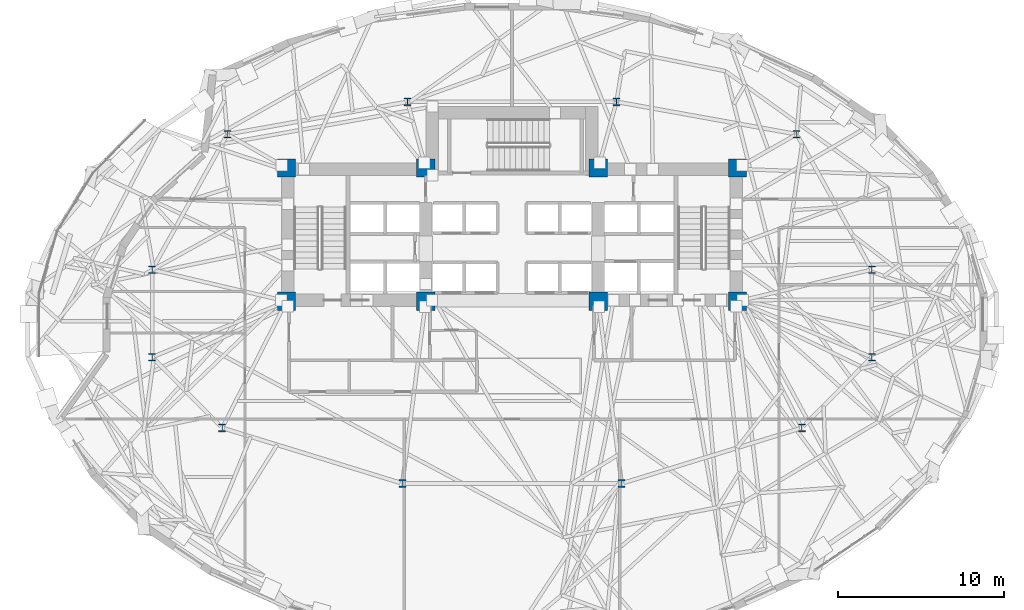
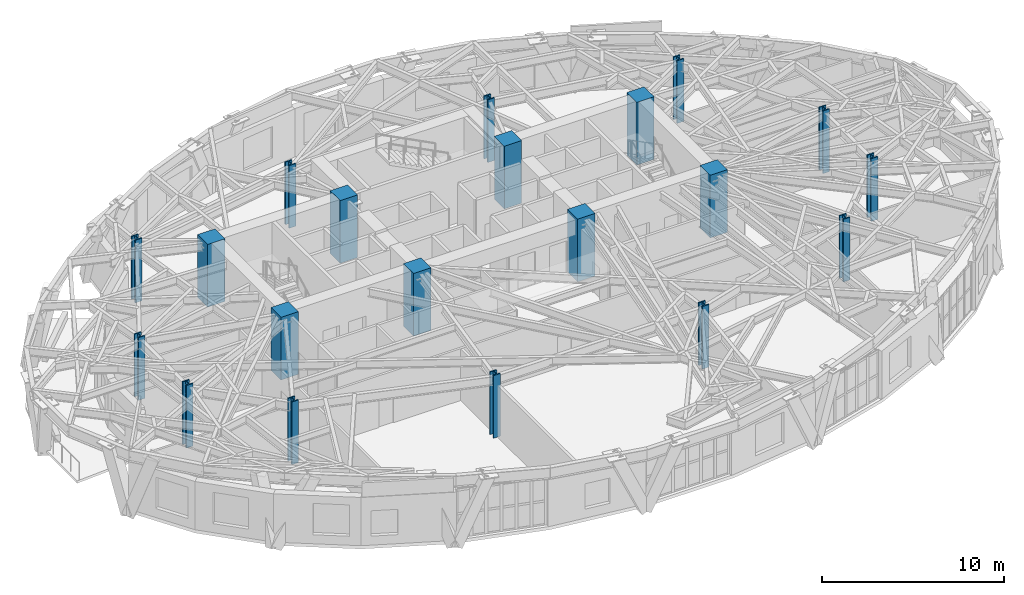
# One storey, part 1 of 20: 20 columns.
"""IFC4 building model written with IfcOpenShell, lengths in metres."""

from ifc_helpers import new_model, si_unit, direction, frame, origin, origin_2d, place, context, subcontext, project, spatial, rectangle, i_section, extrude, material, material_profile, profile_set, type_object, element, save


model = new_model("IFC4")

# Units and contexts
model_context = context("Model", 3, precision=1e-05, world=origin(), true_north=direction((0.0, 1.0)))
body_context = subcontext(model_context, "Body", "Model", "MODEL_VIEW")
ifc_project = project(units=[si_unit("LENGTHUNIT", "METRE"), si_unit("AREAUNIT", "SQUARE_METRE"), si_unit("VOLUMEUNIT", "CUBIC_METRE"), si_unit("PLANEANGLEUNIT", "RADIAN"), si_unit("MASSUNIT", "GRAM", prefix="KILO")], contexts=[model_context])

# Site, building, storey
site_placement = place(None, origin())
site = spatial("IfcSite", under=ifc_project, at=site_placement, CompositionType="ELEMENT")
building_placement = place(site_placement, origin())
building = spatial("IfcBuilding", under=site, at=building_placement, Name="Keldmark Tower", CompositionType="ELEMENT")
storey_placement = place(building_placement, frame((0.0, 0.0, 81.89990234375)))
storey = spatial("IfcBuildingStorey", under=building, at=storey_placement, Name="L21", CompositionType="ELEMENT", Elevation=81.89990234375)

# Columns
ifc_material_1 = material(Name="Concrete C70/85", Category="concrete")
ifc_material_profile_1 = material_profile(ifc_material_1, rectangle(XDim=1.10009765625, YDim=1.10009765625, at=origin_2d()), Name="RC1100X1100")
ifc_profile_set_1 = profile_set([ifc_material_profile_1], Name="Concrete C70/85")
column_type_1 = type_object("IfcColumnType", Name="Core Boundary Column RC1100", PredefinedType="COLUMN", material=ifc_profile_set_1)
for number, where, z_axis, x_axis, name in (
    (1, (-13.60009765625, 1.39990234375, 0.0), (0.0, 0.0, 1.0), (1.0, 0.0, 0.0), "L21 Core Boundary Column CC-W1"),
    (2, (-13.60009765625, 9.449951171875, 0.0), (0.0, 0.0, 1.0), (1.0, 0.0, 0.0), "L21 Core Boundary Column CC-W2"),
    (3, (-5.199951171875, 1.39990234375, 0.0), (0.0, 0.0, 1.0), (1.0, 0.0, 0.0), "L21 Core Boundary Column CC-W3"),
    (4, (-5.199951171875, 9.449951171875, 0.0), (0.0, 0.0, 1.0), (1.0, 0.0, 0.0), "L21 Core Boundary Column CC-W4"),
    (5, (5.199951171875, 1.39990234375, 0.0), (0.0, 0.0, 1.0), (1.0, 0.0, 0.0), "L21 Core Boundary Column CC-E1"),
    (6, (5.199951171875, 9.449951171875, 0.0), (0.0, 0.0, 1.0), (1.0, 0.0, 0.0), "L21 Core Boundary Column CC-E2"),
    (7, (13.60009765625, 1.39990234375, 0.0), (0.0, 0.0, 1.0), (1.0, 0.0, 0.0), "L21 Core Boundary Column CC-E3"),
    (8, (13.60009765625, 9.449951171875, 0.0), (0.0, 0.0, 1.0), (1.0, 0.0, 0.0), "L21 Core Boundary Column CC-E4"),
):
    element("IfcColumn", number, at=place(storey_placement, frame(where, z_axis=z_axis, x_axis=x_axis)), inside=storey, type_object=column_type_1, Name=name, PredefinedType="COLUMN", context=body_context, shape_type="SweptSolid", body=[
        extrude(rectangle(XDim=1.10009765625, YDim=1.10009765625, at=origin_2d()), origin(), (0.0, 0.0, 1.0), 4.2001953125),
    ])
ifc_material_2 = material(Name="Steel ASTM A992 Grade 50", Category="steel")
ifc_material_profile_2 = material_profile(ifc_material_2, i_section(OverallWidth=0.424072265625, OverallDepth=0.47412109375, WebThickness=0.047607421875, FlangeThickness=0.0771484375, at=origin_2d()), Name="W14X426")
ifc_profile_set_2 = profile_set([ifc_material_profile_2], Name="Steel ASTM A992 Grade 50")
column_type_2 = type_object("IfcColumnType", Name="Tower Gravity Column W14X426", PredefinedType="COLUMN", material=ifc_profile_set_2)
for number, where, z_axis, x_axis, name in (
    (9, (21.697021484375, 3.309814453125, 0.0), (0.0, 0.0, 1.0), (1.0, 0.0, 0.0), "L21 Tower Gravity Column TC-E1"),
    (10, (17.1669921875, 11.478271484375, 0.0), (0.0, 0.0, 1.0), (1.0, 0.0, 0.0), "L21 Tower Gravity Column TC-E4"),
    (11, (6.298828125, 13.4326171875, 0.0), (0.0, 0.0, 1.0), (1.0, 0.0, 0.0), "L21 Tower Gravity Column TC-N2"),
    (12, (-6.298828125, 13.4326171875, 0.0), (0.0, 0.0, 1.0), (1.0, 0.0, 0.0), "L21 Tower Gravity Column TC-N1"),
    (13, (-17.1669921875, 11.478271484375, 0.0), (0.0, 0.0, 1.0), (1.0, 0.0, 0.0), "L21 Tower Gravity Column TC-W4"),
    (14, (-21.697021484375, 3.309814453125, 0.0), (0.0, 0.0, 1.0), (1.0, 0.0, 0.0), "L21 Tower Gravity Column TC-W1"),
    (15, (-21.697021484375, -1.9658203125, 0.0), (0.0, 0.0, 1.0), (1.0, 0.0, 0.0), "L21 Tower Gravity Column TC-W5"),
    (16, (-17.477294921875, -6.2294921875, 0.0), (0.0, 0.0, 1.0), (1.0, 0.0, 0.0), "L21 Tower Gravity Column TC-W2"),
    (17, (-6.61279296875, -9.579345703125, 0.0), (0.0, 0.0, 1.0), (1.0, 0.0, 0.0), "L21 Tower Gravity Column TC-W3"),
    (18, (6.61279296875, -9.579345703125, 0.0), (0.0, 0.0, 1.0), (1.0, 0.0, 0.0), "L21 Tower Gravity Column TC-E3"),
    (19, (17.477294921875, -6.2294921875, 0.0), (0.0, 0.0, 1.0), (1.0, 0.0, 0.0), "L21 Tower Gravity Column TC-E2"),
    (20, (21.697021484375, -1.9658203125, 0.0), (0.0, 0.0, 1.0), (1.0, 0.0, 0.0), "L21 Tower Gravity Column TC-E5"),
):
    element("IfcColumn", number, at=place(storey_placement, frame(where, z_axis=z_axis, x_axis=x_axis)), inside=storey, type_object=column_type_2, Name=name, PredefinedType="COLUMN", context=body_context, shape_type="SweptSolid", body=[
        extrude(i_section(OverallWidth=0.424072265625, OverallDepth=0.47412109375, WebThickness=0.047607421875, FlangeThickness=0.0771484375, at=origin_2d()), origin(), (0.0, 0.0, 1.0), 4.2001953125),
    ])

save(model, "model.ifc")
